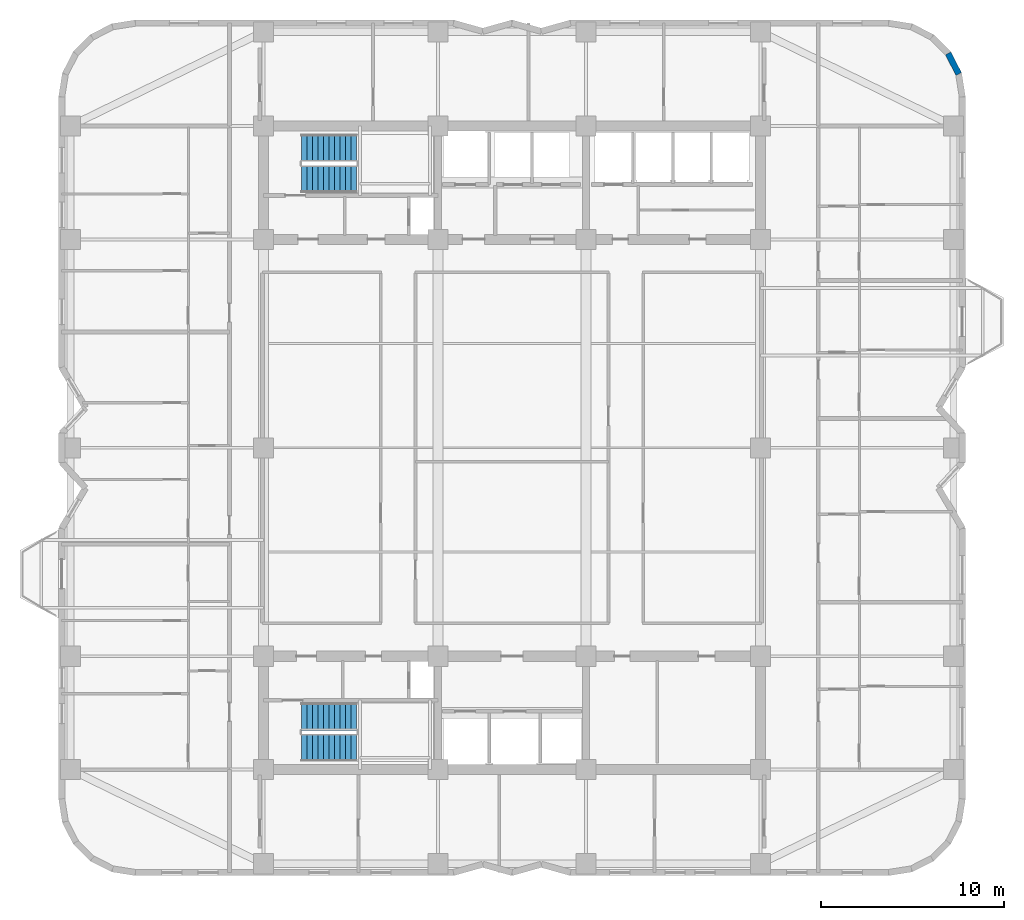
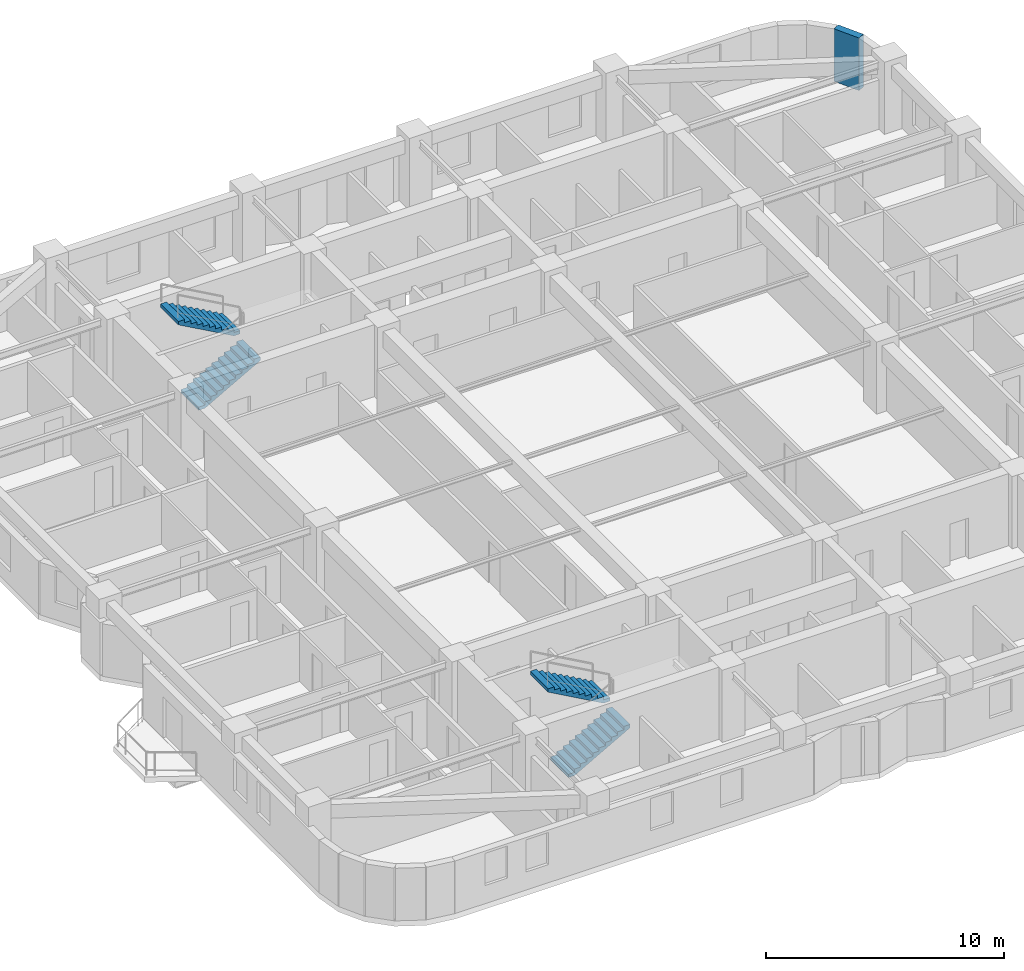
# One storey, part 8 of 10: 4 stair flights, 1 wall, 2 elements without a shape of their own.
"""IFC4 building model written with IfcOpenShell, lengths in metres."""

from ifc_helpers import new_model, si_unit, direction, frame, frame_2d, origin, place, context, subcontext, project, spatial, polyline, rectangle, outline, extrude, material, layer, layer_set, type_object, element, aggregate, save


model = new_model("IFC4")

# Units and contexts
model_context = context("Model", 3, precision=1e-05, world=origin(), true_north=direction((0.0, 1.0)))
body_context = subcontext(model_context, "Body", "Model", "MODEL_VIEW")
ifc_project = project(units=[si_unit("LENGTHUNIT", "METRE"), si_unit("AREAUNIT", "SQUARE_METRE"), si_unit("VOLUMEUNIT", "CUBIC_METRE"), si_unit("PLANEANGLEUNIT", "RADIAN"), si_unit("MASSUNIT", "GRAM", prefix="KILO")], contexts=[model_context])

# Site, building, storey
site_placement = place(None, origin())
site = spatial("IfcSite", under=ifc_project, at=site_placement, CompositionType="ELEMENT")
building_placement = place(site_placement, origin())
building = spatial("IfcBuilding", under=site, at=building_placement, Name="Svetorya Sky Lyceum", CompositionType="ELEMENT")
storey_placement = place(building_placement, frame((0.0, 0.0, 114.199951171875)))
storey = spatial("IfcBuildingStorey", under=building, at=storey_placement, Name="L28", CompositionType="ELEMENT", Elevation=114.199951171875)

# Wall
ifc_material_1 = material(Name="Putilovo limestone rainscreen on autoclaved cellular masonry", Category="masonry")
ifc_layer = layer(ifc_material_1, 0.340087890625)
ifc_layer_set = layer_set([ifc_layer], Name="Putilovo limestone rainscreen on autoclaved cellular masonry")
wall_type = type_object("IfcWallType", Name="WL-EXT-340", PredefinedType="SOLIDWALL", material=ifc_layer_set)
wall_placement = place(storey_placement, frame((63.6328125, 48.645263671875, 0.0), z_axis=(0.0, 0.0, 1.0), x_axis=(-0.454015689056, 0.890993689142, 0.0)))
element("IfcWall", 1, at=wall_placement, inside=storey, type_object=wall_type, Name="L28 Limestone Exterior Wall 25M", PredefinedType="SOLIDWALL", context=body_context, shape_type="SweptSolid", body=[
    extrude(rectangle(XDim=1.260986328125, YDim=0.340087890625, at=frame_2d((0.63037109375, 0.0))), origin(), (0.0, 0.0, 1.0), 2.699951171875),
])

# Stair, stair flights
ifc_material_2 = material(Name="Concrete C40/50", Category="concrete")
stair_type_1 = type_object("IfcStairType", Name="STR-ST-N", PredefinedType="HALF_TURN_STAIR", material=ifc_material_2)
stair_1_placement = place(storey_placement, origin())
stair_1 = element("IfcStair", 2, at=stair_1_placement, inside=storey, type_object=stair_type_1, Name="L28 North Core Smoke-Free Exit Stair N3", PredefinedType="HALF_TURN_STAIR")
stair_flight_type_1 = type_object("IfcStairFlightType", Name="SFL-ST-N", PredefinedType="STRAIGHT", material=ifc_material_2)
stair_flight_1_placement = place(storey_placement, frame((27.699951171875, 42.89990234375, 0.0), z_axis=(0.0, 0.0, 1.0), x_axis=(1.0, 0.0, 0.0)))
stair_flight_1 = element("IfcStairFlight", 3, at=stair_flight_1_placement, type_object=stair_flight_type_1, Name="ST-N flight 1", NumberOfRisers=11, NumberOfTreads=10, PredefinedType="STRAIGHT", RiserHeight=0.168181818, TreadLength=0.3, context=body_context, shape_type="SweptSolid", body=[
    extrude(outline(polyline([(0.0, 0.0), (0.0, 0.168212890625), (0.300048828125, 0.168212890625), (0.300048828125, 0.33642578125), (0.60009765625, 0.33642578125), (0.60009765625, 0.504638671875), (0.89990234375, 0.504638671875), (0.89990234375, 0.672607421875), (1.199951171875, 0.672607421875), (1.199951171875, 0.8408203125), (1.5, 0.8408203125), (1.5, 1.009033203125), (1.800048828125, 1.009033203125), (1.800048828125, 1.17724609375), (2.10009765625, 1.17724609375), (2.10009765625, 1.345458984375), (2.39990234375, 1.345458984375), (2.39990234375, 1.513671875), (2.699951171875, 1.513671875), (2.699951171875, 1.681884765625), (3.0, 1.681884765625), (3.0, 1.85009765625), (3.0, 1.510009765625), (0.306640625, 0.0), (0.0, 0.0)])), frame((0.0, 0.75, 0.0), z_axis=(0.0, -1.0, 0.0), x_axis=(1.0, 0.0, 0.0)), (0.0, 0.0, 1.0), 1.5),
])
stair_flight_2_placement = place(storey_placement, frame((30.699951171875, 44.60009765625, 1.85009765625), z_axis=(0.0, 0.0, 1.0), x_axis=(-1.0, 0.0, 0.0)))
stair_flight_2 = element("IfcStairFlight", 4, at=stair_flight_2_placement, type_object=stair_flight_type_1, Name="ST-N flight 2", NumberOfRisers=11, NumberOfTreads=10, PredefinedType="STRAIGHT", RiserHeight=0.168181818, TreadLength=0.3, context=body_context, shape_type="SweptSolid", body=[
    extrude(outline(polyline([(0.0, 0.0), (0.0, 0.168212890625), (0.300048828125, 0.168212890625), (0.300048828125, 0.33642578125), (0.60009765625, 0.33642578125), (0.60009765625, 0.504638671875), (0.89990234375, 0.504638671875), (0.89990234375, 0.672607421875), (1.199951171875, 0.672607421875), (1.199951171875, 0.8408203125), (1.5, 0.8408203125), (1.5, 1.009033203125), (1.800048828125, 1.009033203125), (1.800048828125, 1.17724609375), (2.10009765625, 1.17724609375), (2.10009765625, 1.345458984375), (2.39990234375, 1.345458984375), (2.39990234375, 1.513671875), (2.699951171875, 1.513671875), (2.699951171875, 1.681884765625), (3.0, 1.681884765625), (3.0, 1.85009765625), (3.0, 1.510009765625), (0.306640625, 0.0), (0.0, 0.0)])), frame((0.0, 0.75, 0.0), z_axis=(0.0, -1.0, 0.0), x_axis=(1.0, 0.0, 0.0)), (0.0, 0.0, 1.0), 1.5),
])
aggregate(stair_1, [stair_flight_1, stair_flight_2])

stair_type_2 = type_object("IfcStairType", Name="STR-ST-S", PredefinedType="HALF_TURN_STAIR", material=ifc_material_2)
stair_2_placement = place(storey_placement, origin())
stair_2 = element("IfcStair", 5, at=stair_2_placement, inside=storey, type_object=stair_type_2, Name="L28 South Core Smoke-Free Exit Stair N2", PredefinedType="HALF_TURN_STAIR")
stair_flight_type_2 = type_object("IfcStairFlightType", Name="SFL-ST-S", PredefinedType="STRAIGHT", material=ifc_material_2)
stair_flight_3_placement = place(storey_placement, frame((27.699951171875, 11.800048828125, 0.0), z_axis=(0.0, 0.0, 1.0), x_axis=(1.0, 0.0, 0.0)))
stair_flight_3 = element("IfcStairFlight", 6, at=stair_flight_3_placement, type_object=stair_flight_type_2, Name="ST-S flight 1", NumberOfRisers=11, NumberOfTreads=10, PredefinedType="STRAIGHT", RiserHeight=0.168181818, TreadLength=0.3, context=body_context, shape_type="SweptSolid", body=[
    extrude(outline(polyline([(0.0, 0.0), (0.0, 0.168212890625), (0.300048828125, 0.168212890625), (0.300048828125, 0.33642578125), (0.60009765625, 0.33642578125), (0.60009765625, 0.504638671875), (0.89990234375, 0.504638671875), (0.89990234375, 0.672607421875), (1.199951171875, 0.672607421875), (1.199951171875, 0.8408203125), (1.5, 0.8408203125), (1.5, 1.009033203125), (1.800048828125, 1.009033203125), (1.800048828125, 1.17724609375), (2.10009765625, 1.17724609375), (2.10009765625, 1.345458984375), (2.39990234375, 1.345458984375), (2.39990234375, 1.513671875), (2.699951171875, 1.513671875), (2.699951171875, 1.681884765625), (3.0, 1.681884765625), (3.0, 1.85009765625), (3.0, 1.510009765625), (0.306640625, 0.0), (0.0, 0.0)])), frame((0.0, 0.75, 0.0), z_axis=(0.0, -1.0, 0.0), x_axis=(1.0, 0.0, 0.0)), (0.0, 0.0, 1.0), 1.5),
])
stair_flight_4_placement = place(storey_placement, frame((30.699951171875, 13.5, 1.85009765625), z_axis=(0.0, 0.0, 1.0), x_axis=(-1.0, 0.0, 0.0)))
stair_flight_4 = element("IfcStairFlight", 7, at=stair_flight_4_placement, type_object=stair_flight_type_2, Name="ST-S flight 2", NumberOfRisers=11, NumberOfTreads=10, PredefinedType="STRAIGHT", RiserHeight=0.168181818, TreadLength=0.3, context=body_context, shape_type="SweptSolid", body=[
    extrude(outline(polyline([(0.0, 0.0), (0.0, 0.168212890625), (0.300048828125, 0.168212890625), (0.300048828125, 0.33642578125), (0.60009765625, 0.33642578125), (0.60009765625, 0.504638671875), (0.89990234375, 0.504638671875), (0.89990234375, 0.672607421875), (1.199951171875, 0.672607421875), (1.199951171875, 0.8408203125), (1.5, 0.8408203125), (1.5, 1.009033203125), (1.800048828125, 1.009033203125), (1.800048828125, 1.17724609375), (2.10009765625, 1.17724609375), (2.10009765625, 1.345458984375), (2.39990234375, 1.345458984375), (2.39990234375, 1.513671875), (2.699951171875, 1.513671875), (2.699951171875, 1.681884765625), (3.0, 1.681884765625), (3.0, 1.85009765625), (3.0, 1.510009765625), (0.306640625, 0.0), (0.0, 0.0)])), frame((0.0, 0.75, 0.0), z_axis=(0.0, -1.0, 0.0), x_axis=(1.0, 0.0, 0.0)), (0.0, 0.0, 1.0), 1.5),
])
aggregate(stair_2, [stair_flight_3, stair_flight_4])

save(model, "model.ifc")
